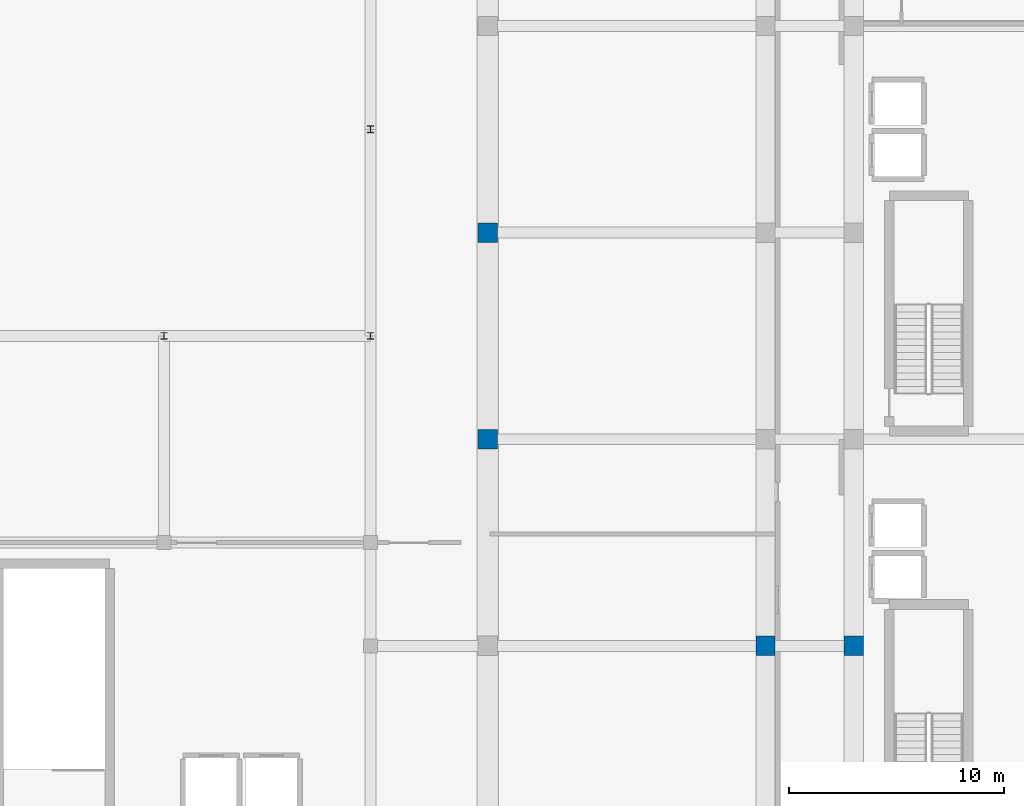
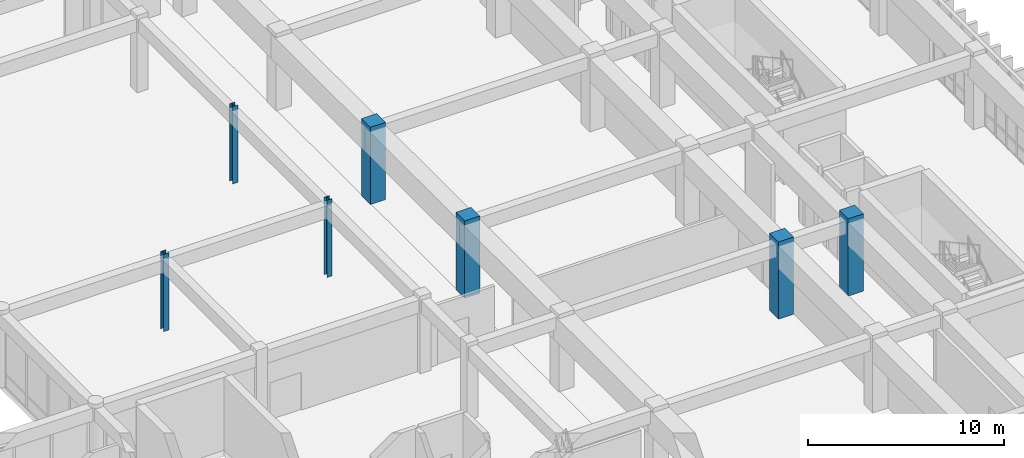
# One storey, part 2 of 101: 7 columns.
"""IFC4 building model written with IfcOpenShell, lengths in metres."""

from ifc_helpers import new_model, si_unit, direction, frame, origin, origin_2d, place, context, subcontext, project, spatial, rectangle, i_section, extrude, material, material_profile, profile_set, type_object, element, save


model = new_model("IFC4")

# Units and contexts
model_context = context("Model", 3, precision=1e-05, world=origin(), true_north=direction((0.0, 1.0)))
body_context = subcontext(model_context, "Body", "Model", "MODEL_VIEW")
ifc_project = project(units=[si_unit("LENGTHUNIT", "METRE"), si_unit("AREAUNIT", "SQUARE_METRE"), si_unit("VOLUMEUNIT", "CUBIC_METRE"), si_unit("PLANEANGLEUNIT", "RADIAN"), si_unit("MASSUNIT", "GRAM", prefix="KILO")], contexts=[model_context])

# Site, building, storey
site_placement = place(None, origin())
site = spatial("IfcSite", under=ifc_project, at=site_placement, CompositionType="ELEMENT")
building_placement = place(site_placement, origin())
building = spatial("IfcBuilding", under=site, at=building_placement, Name="Nakhvara Creek Congress Hotel", CompositionType="ELEMENT")
storey_placement = place(building_placement, frame((0.0, 0.0, 16.199951171875)))
storey = spatial("IfcBuildingStorey", under=building, at=storey_placement, Name="L03", CompositionType="ELEMENT", Elevation=16.199951171875)

# Columns
ifc_material_1 = material(Name="Concrete C50/60", Category="concrete")
ifc_material_profile_1 = material_profile(ifc_material_1, rectangle(XDim=0.89990234375, YDim=0.89990234375, at=origin_2d()), Name="RC-COL 900x900", Category="LoadBearing")
ifc_profile_set_1 = profile_set([ifc_material_profile_1], Name="Concrete C50/60")
column_type_1 = type_object("IfcColumnType", Name="COL-RC-900", PredefinedType="COLUMN", material=ifc_profile_set_1)
for number, where, z_axis, x_axis, name in (
    (1, (149.449951171875, 48.0, 0.0), (0.0, 0.0, 1.0), (1.0, 0.0, 0.0), "Column C03-L03-1324"),
    (2, (149.449951171875, 57.60009765625, 0.0), (0.0, 0.0, 1.0), (1.0, 0.0, 0.0), "Column C03-L03-1325"),
    (3, (162.35009765625, 38.39990234375, 0.0), (0.0, 0.0, 1.0), (1.0, 0.0, 0.0), "Column C03-L03-1337"),
    (4, (166.449951171875, 38.39990234375, 0.0), (0.0, 0.0, 1.0), (1.0, 0.0, 0.0), "Column C03-L03-1351"),
):
    element("IfcColumn", number, at=place(storey_placement, frame(where, z_axis=z_axis, x_axis=x_axis)), inside=storey, type_object=column_type_1, Name=name, PredefinedType="COLUMN", context=body_context, shape_type="SweptSolid", body=[
        extrude(rectangle(XDim=0.89990234375, YDim=0.89990234375, at=origin_2d()), origin(), (0.0, 0.0, 1.0), 4.800048828125),
    ])
ifc_material_2 = material(Name="Steel S355J2", Category="steel")
ifc_material_profile_2 = material_profile(ifc_material_2, i_section(OverallWidth=0.307373046875, OverallDepth=0.314453125, WebThickness=0.011962890625, FlangeThickness=0.018798828125, FilletRadius=0.01513671875, at=origin_2d()), Name="UC 305x305x118", Category="LoadBearing")
ifc_profile_set_2 = profile_set([ifc_material_profile_2], Name="Steel S355J2")
column_type_2 = type_object("IfcColumnType", Name="COL-ST-UC305", PredefinedType="COLUMN", material=ifc_profile_set_2)
for number, where, z_axis, x_axis, name in (
    (5, (134.39990234375, 52.800048828125, 0.0), (0.0, 0.0, 1.0), (1.0, 0.0, 0.0), "Column CS2-L03-1302"),
    (6, (144.0, 52.800048828125, 0.0), (0.0, 0.0, 1.0), (1.0, 0.0, 0.0), "Column CS2-L03-1313"),
    (7, (144.0, 62.39990234375, 0.0), (0.0, 0.0, 1.0), (1.0, 0.0, 0.0), "Column CS2-L03-1314"),
):
    element("IfcColumn", number, at=place(storey_placement, frame(where, z_axis=z_axis, x_axis=x_axis)), inside=storey, type_object=column_type_2, Name=name, PredefinedType="COLUMN", context=body_context, shape_type="SweptSolid", body=[
        extrude(i_section(OverallWidth=0.307373046875, OverallDepth=0.314453125, WebThickness=0.011962890625, FlangeThickness=0.018798828125, FilletRadius=0.01513671875, at=origin_2d()), origin(), (0.0, 0.0, 1.0), 4.800048828125),
    ])

save(model, "model.ifc")
